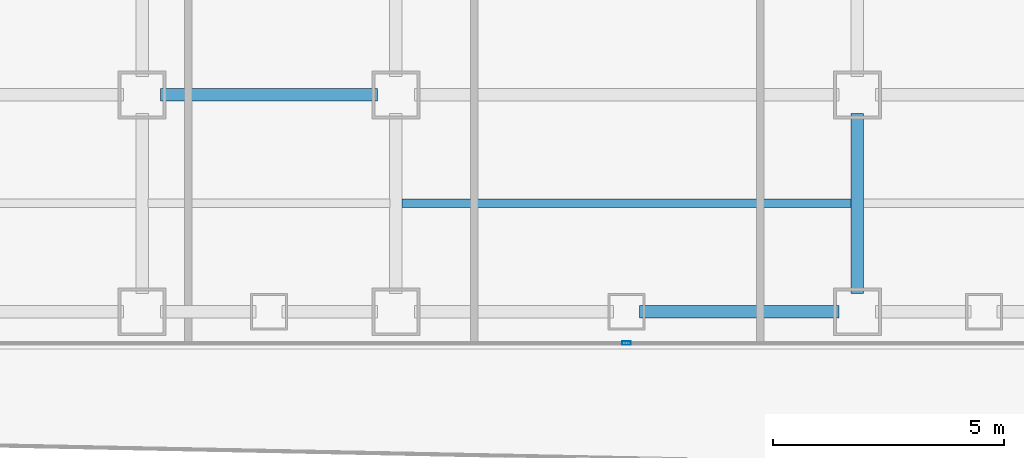
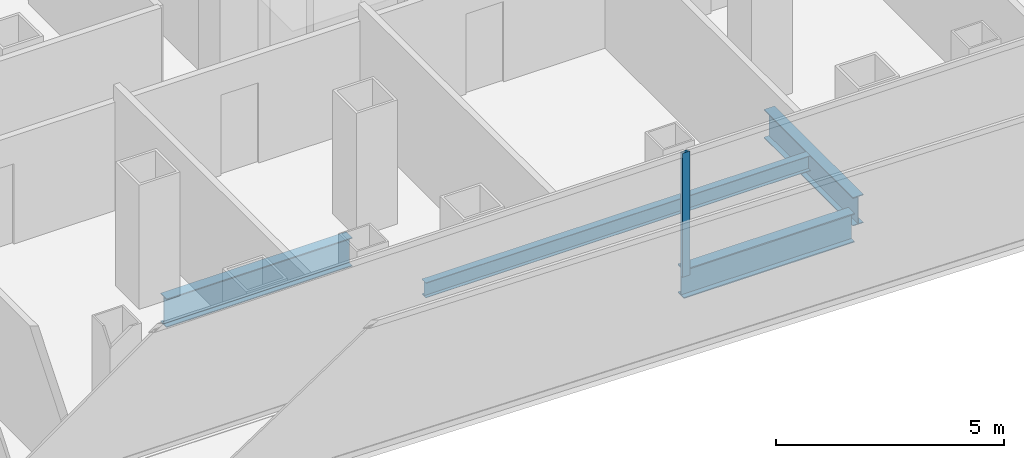
# One storey, part 4 of 22: 4 beams, 1 member, 1 element without a shape of its own.
"""IFC4 building model written with IfcOpenShell, lengths in metres."""

from ifc_helpers import new_model, si_unit, direction, frame, origin, origin_2d, place, context, subcontext, project, spatial, hollow_rectangle, i_section, extrude, source, transform, mapped, material, layer, layer_set, material_profile, profile_set, type_object, element, aggregate, save


model = new_model("IFC4")

# Units and contexts
model_context = context("Model", 3, precision=1e-05, world=origin(), true_north=direction((0.0, 1.0)))
body_context = subcontext(model_context, "Body", "Model", "MODEL_VIEW")
ifc_project = project(units=[si_unit("LENGTHUNIT", "METRE"), si_unit("AREAUNIT", "SQUARE_METRE"), si_unit("VOLUMEUNIT", "CUBIC_METRE"), si_unit("PLANEANGLEUNIT", "RADIAN"), si_unit("MASSUNIT", "GRAM", prefix="KILO")], contexts=[model_context])

# Site, building, storey
site_placement = place(None, origin())
site = spatial("IfcSite", under=ifc_project, at=site_placement, CompositionType="ELEMENT")
building_placement = place(site_placement, origin())
building = spatial("IfcBuilding", under=site, at=building_placement, Name="Kolveth Station Tower", CompositionType="ELEMENT")
storey_placement = place(building_placement, frame((0.0, 0.0, 65.699951171875)))
storey = spatial("IfcBuildingStorey", under=building, at=storey_placement, Name="L17", CompositionType="ELEMENT", Elevation=65.699951171875)

# Beams
ifc_material_1 = material(Name="Steel S355", Category="steel")
ifc_material_profile_1 = material_profile(ifc_material_1, i_section(OverallWidth=0.26904296875, OverallDepth=0.77490234375, WebThickness=0.01708984375, FlangeThickness=0.0283203125, at=origin_2d()), Name="W760x220")
ifc_profile_set_1 = profile_set([ifc_material_profile_1], Name="Steel S355")
beam_type_1 = type_object("IfcBeamType", Name="Beam_SP1", PredefinedType="SPANDREL", material=ifc_profile_set_1)
shared_shape_1 = source(origin(), body_context, "Body", "SweptSolid", [
    extrude(i_section(OverallWidth=0.26904296875, OverallDepth=0.77490234375, WebThickness=0.01708984375, FlangeThickness=0.0283203125, at=origin_2d()), origin(), (0.0, 0.0, 1.0), 4.320068359375),
])
beam_1_placement = place(storey_placement, frame((23.780029296875, 0.800048828125, -0.66748046875), z_axis=(1.0, 0.0, 0.0), x_axis=(0.0, 1.0, 0.0)))
element("IfcBeam", 1, at=beam_1_placement, inside=storey, type_object=beam_type_1, Name="L17 Perimeter Spandrel BM-L17-PS-6", PredefinedType="SPANDREL", context=body_context, shape_type="MappedRepresentation", body=[
    mapped(shared_shape_1, transform((0.0, 0.0, 0.0), x_axis=(1.0, 0.0, 0.0), y_axis=(0.0, 1.0, 0.0), z_axis=(0.0, 0.0, 1.0), scale=1.0)),
])
ifc_material_profile_2 = material_profile(ifc_material_1, i_section(OverallWidth=0.26708984375, OverallDepth=0.76611328125, WebThickness=0.014892578125, FlangeThickness=0.023681640625, at=origin_2d()), Name="W760x185")
ifc_profile_set_2 = profile_set([ifc_material_profile_2], Name="Steel S355")
beam_type_2 = type_object("IfcBeamType", Name="Beam_B3", PredefinedType="BEAM", material=ifc_profile_set_2)
shared_shape_2 = source(origin(), body_context, "Body", "SweptSolid", [
    extrude(i_section(OverallWidth=0.26708984375, OverallDepth=0.76611328125, WebThickness=0.014892578125, FlangeThickness=0.023681640625, at=origin_2d()), origin(), (0.0, 0.0, 1.0), 4.7001953125),
])
beam_2_placement = place(storey_placement, frame((13.39990234375, 5.5, -0.662841796875), z_axis=(1.0, 0.0, 0.0), x_axis=(0.0, 1.0, 0.0)))
element("IfcBeam", 2, at=beam_2_placement, inside=storey, type_object=beam_type_2, Name="L17 Primary Girder BM-L17-GY55-3", PredefinedType="BEAM", context=body_context, shape_type="MappedRepresentation", body=[
    mapped(shared_shape_2, transform((0.0, 0.0, 0.0), x_axis=(1.0, 0.0, 0.0), y_axis=(0.0, 1.0, 0.0), z_axis=(0.0, 0.0, 1.0), scale=1.0)),
])
shared_shape_3 = source(origin(), body_context, "Body", "SweptSolid", [
    extrude(i_section(OverallWidth=0.26708984375, OverallDepth=0.76611328125, WebThickness=0.014892578125, FlangeThickness=0.023681640625, at=origin_2d()), origin(), (0.0, 0.0, 1.0), 3.900146484375),
])
beam_3_placement = place(storey_placement, frame((28.5, 1.199951171875, -0.662841796875), z_axis=(0.0, 1.0, 0.0), x_axis=(-1.0, 0.0, 0.0)))
element("IfcBeam", 3, at=beam_3_placement, inside=storey, type_object=beam_type_2, Name="L17 Primary Girder BM-L17-GX285-1", PredefinedType="BEAM", context=body_context, shape_type="MappedRepresentation", body=[
    mapped(shared_shape_3, transform((0.0, 0.0, 0.0), x_axis=(1.0, 0.0, 0.0), y_axis=(0.0, 1.0, 0.0), z_axis=(0.0, 0.0, 1.0), scale=1.0)),
])
ifc_material_profile_3 = material_profile(ifc_material_1, i_section(OverallWidth=0.177978515625, OverallDepth=0.406982421875, WebThickness=0.0078125, FlangeThickness=0.0126953125, at=origin_2d()), Name="W410x60")
ifc_profile_set_3 = profile_set([ifc_material_profile_3], Name="Steel S355")
beam_type_3 = type_object("IfcBeamType", Name="Beam_J1", PredefinedType="JOIST", material=ifc_profile_set_3)
shared_shape_4 = source(origin(), body_context, "Body", "SweptSolid", [
    extrude(i_section(OverallWidth=0.177978515625, OverallDepth=0.406982421875, WebThickness=0.0078125, FlangeThickness=0.0126953125, at=origin_2d()), origin(), (0.0, 0.0, 1.0), 9.73681640625),
])
beam_4_placement = place(storey_placement, frame((18.631591796875, 3.14990234375, -0.4833984375), z_axis=(1.0, 0.0, 0.0), x_axis=(0.0, 1.0, 0.0)))
element("IfcBeam", 4, at=beam_4_placement, inside=storey, type_object=beam_type_3, Name="L17 Secondary Joist JST-L17-4-1", PredefinedType="JOIST", context=body_context, shape_type="MappedRepresentation", body=[
    mapped(shared_shape_4, transform((0.0, 0.0, 0.0), x_axis=(1.0, 0.0, 0.0), y_axis=(0.0, 1.0, 0.0), z_axis=(0.0, 0.0, 1.0), scale=1.0)),
])

# Curtain wall, member
ifc_material_2 = material(Name="Aluminium 6063-T6 and low-E dark glass", Category="aluminium")
ifc_layer = layer(ifc_material_2, 0.179931640625)
ifc_layer_set = layer_set([ifc_layer], Name="Aluminium 6063-T6 and low-E dark glass")
curtain_wall_type = type_object("IfcCurtainWallType", Name="CurtainWall_CW-Z1", PredefinedType="NOTDEFINED", material=ifc_layer_set)
curtain_wall_placement = place(storey_placement, origin())
curtain_wall = element("IfcCurtainWall", 5, at=curtain_wall_placement, inside=storey, type_object=curtain_wall_type, Name="L17 Inner Thermal Curtain Wall 12", PredefinedType="NOTDEFINED")
ifc_material_3 = material(Name="Black anodized aluminium 6063-T6", Category="aluminium")
ifc_material_profile_4 = material_profile(ifc_material_3, hollow_rectangle(XDim=0.074951171875, YDim=0.18994140625, WallThickness=0.0048828125, at=origin_2d()), Name="ALU-75x190x5")
ifc_profile_set_4 = profile_set([ifc_material_profile_4], Name="Black anodized aluminium 6063-T6")
member_type = type_object("IfcMemberType", Name="Mullion_ML1", PredefinedType="MULLION", material=ifc_profile_set_4)
shared_shape_5 = source(origin(), body_context, "Body", "SweptSolid", [
    extrude(hollow_rectangle(XDim=0.074951171875, YDim=0.18994140625, WallThickness=0.0048828125, at=origin_2d()), origin(), (0.0, 0.0, 1.0), 3.320068359375),
])
member_placement = place(storey_placement, frame((23.5, 0.1201171875, 0.0), z_axis=(0.0, 0.0, 1.0), x_axis=(0.0, 1.0, 0.0)))
member = element("IfcMember", 6, at=member_placement, type_object=member_type, Name="CW-Z1 mullion 2", PredefinedType="MULLION", context=body_context, shape_type="MappedRepresentation", body=[
    mapped(shared_shape_5, transform((0.0, 0.0, 0.0), x_axis=(1.0, 0.0, 0.0), y_axis=(0.0, 1.0, 0.0), z_axis=(0.0, 0.0, 1.0), scale=1.0)),
])
aggregate(curtain_wall, [member])

save(model, "model.ifc")
